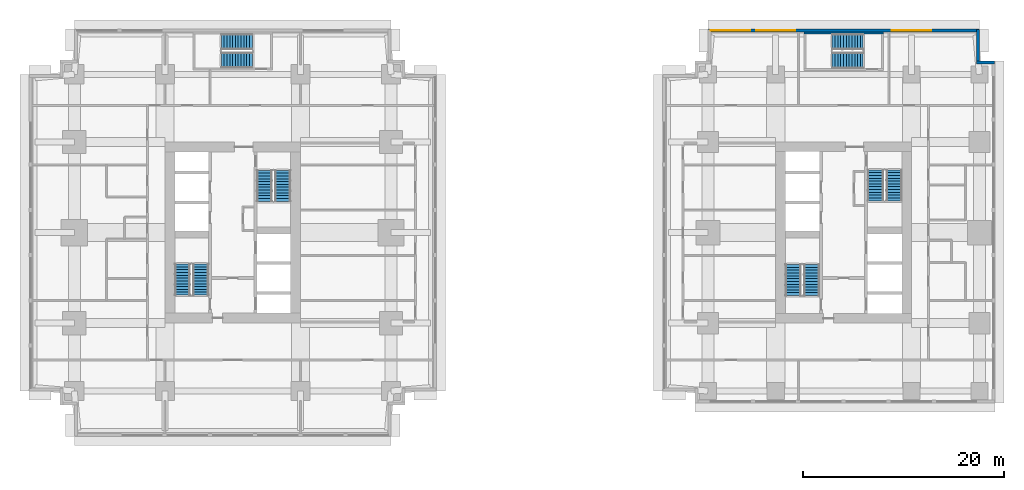
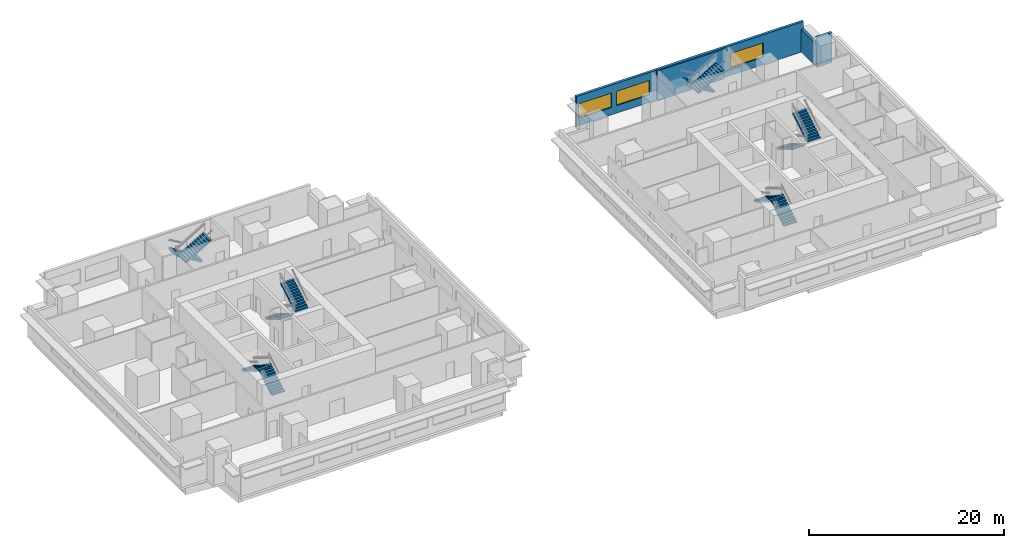
# One storey, part 8 of 11: 12 stair flights, 4 walls, 3 windows, 3 openings, 6 elements without a shape of their own.
"""IFC4 building model written with IfcOpenShell, lengths in metres."""

from ifc_helpers import new_model, si_unit, direction, frame, frame_2d, origin, place, context, subcontext, project, spatial, polyline, rectangle, outline, extrude, material, layer, layer_set, type_object, element, fill, aggregate, save


model = new_model("IFC4")

# Units and contexts
model_context = context("Model", 3, precision=1e-05, world=origin(), true_north=direction((0.0, 1.0)))
body_context = subcontext(model_context, "Body", "Model", "MODEL_VIEW")
ifc_project = project(units=[si_unit("LENGTHUNIT", "METRE"), si_unit("AREAUNIT", "SQUARE_METRE"), si_unit("VOLUMEUNIT", "CUBIC_METRE"), si_unit("PLANEANGLEUNIT", "RADIAN"), si_unit("MASSUNIT", "GRAM", prefix="KILO")], contexts=[model_context])

# Site, building, storey
site_placement = place(None, origin())
site = spatial("IfcSite", under=ifc_project, at=site_placement, CompositionType="ELEMENT")
building_placement = place(site_placement, origin())
building = spatial("IfcBuilding", under=site, at=building_placement, Name="Namib Vertical Campus", CompositionType="ELEMENT")
storey_placement = place(building_placement, frame((0.0, 0.0, 93.0)))
storey = spatial("IfcBuildingStorey", under=building, at=storey_placement, Name="L21", CompositionType="ELEMENT", Elevation=93.0)

# Walls
ifc_material_1 = material(Name="Concrete C40/50", Category="concrete")
ifc_layer_1 = layer(ifc_material_1, 0.300048828125)
ifc_layer_set_1 = layer_set([ifc_layer_1], Name="Concrete C40/50")
wall_type_1 = type_object("IfcWallType", Name="External wall 300 board-marked concrete", PredefinedType="STANDARD", material=ifc_layer_set_1)
wall_1_placement = place(storey_placement, frame((96.030029296875, 37.14990234375, 0.0), z_axis=(0.0, 0.0, 1.0), x_axis=(-1.0, 0.0, 0.0)))
element("IfcWall", 1, at=wall_1_placement, inside=storey, type_object=wall_type_1, Name="External wall L21 F05", PredefinedType="STANDARD", context=body_context, shape_type="SweptSolid", body=[
    extrude(rectangle(XDim=1.81005859375, YDim=0.300048828125, at=frame_2d((0.905029296875, 0.0))), origin(), (0.0, 0.0, 1.0), 3.75),
])
wall_2_placement = place(storey_placement, frame((94.35009765625, 37.02001953125, 0.0), z_axis=(0.0, 0.0, 1.0), x_axis=(0.0, 1.0, 0.0)))
element("IfcWall", 2, at=wall_2_placement, inside=storey, type_object=wall_type_1, Name="External wall L21 F06", PredefinedType="STANDARD", context=body_context, shape_type="SweptSolid", body=[
    extrude(rectangle(XDim=3.4599609375, YDim=0.300048828125, at=frame_2d((1.72998046875, 0.0))), origin(), (0.0, 0.0, 1.0), 2.85009765625),
])

# Wall, openings, windows
wall_3_placement = place(storey_placement, frame((94.47998046875, 40.35009765625, 0.0), z_axis=(0.0, 0.0, 1.0), x_axis=(-1.0, 0.0, 0.0)))
wall_3 = element("IfcWall", 3, at=wall_3_placement, inside=storey, type_object=wall_type_1, Name="External wall L21 F07", PredefinedType="STANDARD", context=body_context, shape_type="SweptSolid", body=[
    extrude(rectangle(XDim=26.9599609375, YDim=0.300048828125, at=frame_2d((13.47998046875, 0.0))), origin(), (0.0, 0.0, 1.0), 3.75),
])
opening_1_placement = place(wall_3_placement, frame((22.780029296875, 0.0, 0.949951171875)))
opening_1 = element("IfcOpeningElement", 4, at=opening_1_placement, cuts=wall_3, Name="Opening W3", PredefinedType="OPENING", context=body_context, shape_type="SweptSolid", body=[
    extrude(rectangle(XDim=3.89990234375, YDim=1.800048828125, at=frame_2d((1.949951171875, 0.89990234375))), frame((0.0, 0.159912109375, 0.0), z_axis=(0.0, -1.0, 0.0), x_axis=(1.0, 0.0, 0.0)), (0.0, 0.0, 1.0), 0.320068359375),
])
opening_2_placement = place(wall_3_placement, frame((18.280029296875, 0.0, 0.949951171875)))
opening_2 = element("IfcOpeningElement", 5, at=opening_2_placement, cuts=wall_3, Name="Opening W3", PredefinedType="OPENING", context=body_context, shape_type="SweptSolid", body=[
    extrude(rectangle(XDim=3.89990234375, YDim=1.800048828125, at=frame_2d((1.949951171875, 0.89990234375))), frame((0.0, 0.159912109375, 0.0), z_axis=(0.0, -1.0, 0.0), x_axis=(1.0, 0.0, 0.0)), (0.0, 0.0, 1.0), 0.320068359375),
])
opening_3_placement = place(wall_3_placement, frame((4.780029296875, 0.0, 0.949951171875)))
opening_3 = element("IfcOpeningElement", 6, at=opening_3_placement, cuts=wall_3, Name="Opening W3", PredefinedType="OPENING", context=body_context, shape_type="SweptSolid", body=[
    extrude(rectangle(XDim=3.89990234375, YDim=1.800048828125, at=frame_2d((1.949951171875, 0.89990234375))), frame((0.0, 0.159912109375, 0.0), z_axis=(0.0, -1.0, 0.0), x_axis=(1.0, 0.0, 0.0)), (0.0, 0.0, 1.0), 0.320068359375),
])
ifc_material_2 = material(Name="Dark tinted glass in black aluminium frame", Category="aluminium")
window_type = type_object("IfcWindowType", Name="Ribbon window 3900x1800", PartitioningType="SINGLE_PANEL", PredefinedType="WINDOW", material=ifc_material_2)
window_1_placement = place(opening_1_placement, origin())
window_1 = element("IfcWindow", 7, at=window_1_placement, inside=storey, type_object=window_type, Name="Window W3 L21 F07-1", OverallHeight=1.800048828125, OverallWidth=3.89990234375, PartitioningType="SINGLE_PANEL", PredefinedType="WINDOW", context=body_context, shape_type="SweptSolid", body=[
    extrude(rectangle(XDim=3.89990234375, YDim=1.800048828125, at=frame_2d((1.949951171875, 0.89990234375))), frame((0.0, 0.030029296875, 0.0), z_axis=(0.0, -1.0, 0.0), x_axis=(1.0, 0.0, 0.0)), (0.0, 0.0, 1.0), 0.06005859375),
])
fill(opening_1, window_1)
window_2_placement = place(opening_2_placement, origin())
window_2 = element("IfcWindow", 8, at=window_2_placement, inside=storey, type_object=window_type, Name="Window W3 L21 F07-2", OverallHeight=1.800048828125, OverallWidth=3.89990234375, PartitioningType="SINGLE_PANEL", PredefinedType="WINDOW", context=body_context, shape_type="SweptSolid", body=[
    extrude(rectangle(XDim=3.89990234375, YDim=1.800048828125, at=frame_2d((1.949951171875, 0.89990234375))), frame((0.0, 0.030029296875, 0.0), z_axis=(0.0, -1.0, 0.0), x_axis=(1.0, 0.0, 0.0)), (0.0, 0.0, 1.0), 0.06005859375),
])
fill(opening_2, window_2)
window_3_placement = place(opening_3_placement, origin())
window_3 = element("IfcWindow", 9, at=window_3_placement, inside=storey, type_object=window_type, Name="Window W3 L21 F07-5", OverallHeight=1.800048828125, OverallWidth=3.89990234375, PartitioningType="SINGLE_PANEL", PredefinedType="WINDOW", context=body_context, shape_type="SweptSolid", body=[
    extrude(rectangle(XDim=3.89990234375, YDim=1.800048828125, at=frame_2d((1.949951171875, 0.89990234375))), frame((0.0, 0.030029296875, 0.0), z_axis=(0.0, -1.0, 0.0), x_axis=(1.0, 0.0, 0.0)), (0.0, 0.0, 1.0), 0.06005859375),
])
fill(opening_3, window_3)

# Wall
ifc_material_3 = material(Name="Concrete C40/50", Category="concrete")
ifc_layer_2 = layer(ifc_material_3, 0.199951171875)
ifc_layer_set_2 = layer_set([ifc_layer_2], Name="Concrete C40/50")
wall_type_2 = type_object("IfcWallType", Name="Stair enclosure wall RC 200", PredefinedType="SOLIDWALL", material=ifc_layer_set_2)
wall_4_placement = place(storey_placement, frame((77.050048828125, 40.10009765625, 0.0), z_axis=(0.0, 0.0, 1.0), x_axis=(1.0, 0.0, 0.0)))
element("IfcWall", 10, at=wall_4_placement, inside=storey, type_object=wall_type_2, Name="Stair enclosure wall B-S3 L21 N", PredefinedType="SOLIDWALL", context=body_context, shape_type="SweptSolid", body=[
    extrude(rectangle(XDim=7.89990234375, YDim=0.199951171875, at=frame_2d((3.949951171875, 0.0))), origin(), (0.0, 0.0, 1.0), 3.75),
])

# Stair, stair flights
ifc_material_4 = material(Name="Concrete C40/50 precast", Category="concrete")
stair_type_1 = type_object("IfcStairType", Name="Exit stair 4000 rise 24 risers 3350 wide", PredefinedType="HALF_TURN_STAIR", material=ifc_material_4)
stair_1_placement = place(storey_placement, origin())
stair_1 = element("IfcStair", 11, at=stair_1_placement, inside=storey, type_object=stair_type_1, Name="Exit stair A-S1 L21", PredefinedType="HALF_TURN_STAIR")
ifc_material_5 = material(Name="Concrete C40/50 precast", Category="concrete")
stair_flight_type_1 = type_object("IfcStairFlightType", Name="Stair flight 12 risers 167 1525 wide", PredefinedType="STRAIGHT", material=ifc_material_5)
stair_flight_1_placement = place(storey_placement, frame((17.08740234375, 14.050048828125, 0.0), z_axis=(0.0, 0.0, 1.0), x_axis=(0.0, 1.0, 0.0)))
stair_flight_1 = element("IfcStairFlight", 12, at=stair_flight_1_placement, type_object=stair_flight_type_1, Name="A-S1 flight 1", NumberOfRisers=12, NumberOfTreads=11, PredefinedType="STRAIGHT", RiserHeight=0.166666667, TreadLength=0.28, context=body_context, shape_type="SweptSolid", body=[
    extrude(outline(polyline([(0.0, 0.0), (0.0, 0.166748046875), (0.280029296875, 0.166748046875), (0.280029296875, 0.333251953125), (0.56005859375, 0.333251953125), (0.56005859375, 0.5), (0.840087890625, 0.5), (0.840087890625, 0.666748046875), (1.1201171875, 0.666748046875), (1.1201171875, 0.833251953125), (1.39990234375, 0.833251953125), (1.39990234375, 1.0), (1.679931640625, 1.0), (1.679931640625, 1.166748046875), (1.9599609375, 1.166748046875), (1.9599609375, 1.333251953125), (2.239990234375, 1.333251953125), (2.239990234375, 1.5), (2.52001953125, 1.5), (2.52001953125, 1.666748046875), (2.800048828125, 1.666748046875), (2.800048828125, 1.833251953125), (3.080078125, 1.833251953125), (3.080078125, 2.0), (3.080078125, 1.658935546875), (0.29296875, 0.0), (0.0, 0.0)])), frame((0.0, 0.762451171875, 0.0), z_axis=(0.0, -1.0, 0.0), x_axis=(1.0, 0.0, 0.0)), (0.0, 0.0, 1.0), 1.52490234375),
])
stair_flight_2_placement = place(storey_placement, frame((15.262451171875, 17.1298828125, 2.0), z_axis=(0.0, 0.0, 1.0), x_axis=(0.0, -1.0, 0.0)))
stair_flight_2 = element("IfcStairFlight", 13, at=stair_flight_2_placement, type_object=stair_flight_type_1, Name="A-S1 flight 2", NumberOfRisers=12, NumberOfTreads=11, PredefinedType="STRAIGHT", RiserHeight=0.166666667, TreadLength=0.28, context=body_context, shape_type="SweptSolid", body=[
    extrude(outline(polyline([(0.0, 0.0), (0.0, 0.166748046875), (0.280029296875, 0.166748046875), (0.280029296875, 0.333251953125), (0.56005859375, 0.333251953125), (0.56005859375, 0.5), (0.840087890625, 0.5), (0.840087890625, 0.666748046875), (1.1201171875, 0.666748046875), (1.1201171875, 0.833251953125), (1.39990234375, 0.833251953125), (1.39990234375, 1.0), (1.679931640625, 1.0), (1.679931640625, 1.166748046875), (1.9599609375, 1.166748046875), (1.9599609375, 1.333251953125), (2.239990234375, 1.333251953125), (2.239990234375, 1.5), (2.52001953125, 1.5), (2.52001953125, 1.666748046875), (2.800048828125, 1.666748046875), (2.800048828125, 1.833251953125), (3.080078125, 1.833251953125), (3.080078125, 2.0), (3.080078125, 1.658935546875), (0.29296875, 0.0), (0.0, 0.0)])), frame((0.0, 0.762451171875, 0.0), z_axis=(0.0, -1.0, 0.0), x_axis=(1.0, 0.0, 0.0)), (0.0, 0.0, 1.0), 1.52490234375),
])
aggregate(stair_1, [stair_flight_1, stair_flight_2])

stair_2_placement = place(storey_placement, origin())
stair_2 = element("IfcStair", 14, at=stair_2_placement, inside=storey, type_object=stair_type_1, Name="Exit stair A-S2 L21", PredefinedType="HALF_TURN_STAIR")
stair_flight_3_placement = place(storey_placement, frame((23.41259765625, 26.449951171875, 0.0), z_axis=(0.0, 0.0, 1.0), x_axis=(0.0, -1.0, 0.0)))
stair_flight_3 = element("IfcStairFlight", 15, at=stair_flight_3_placement, type_object=stair_flight_type_1, Name="A-S2 flight 1", NumberOfRisers=12, NumberOfTreads=11, PredefinedType="STRAIGHT", RiserHeight=0.166666667, TreadLength=0.28, context=body_context, shape_type="SweptSolid", body=[
    extrude(outline(polyline([(0.0, 0.0), (0.0, 0.166748046875), (0.280029296875, 0.166748046875), (0.280029296875, 0.333251953125), (0.56005859375, 0.333251953125), (0.56005859375, 0.5), (0.840087890625, 0.5), (0.840087890625, 0.666748046875), (1.1201171875, 0.666748046875), (1.1201171875, 0.833251953125), (1.39990234375, 0.833251953125), (1.39990234375, 1.0), (1.679931640625, 1.0), (1.679931640625, 1.166748046875), (1.9599609375, 1.166748046875), (1.9599609375, 1.333251953125), (2.239990234375, 1.333251953125), (2.239990234375, 1.5), (2.52001953125, 1.5), (2.52001953125, 1.666748046875), (2.800048828125, 1.666748046875), (2.800048828125, 1.833251953125), (3.080078125, 1.833251953125), (3.080078125, 2.0), (3.080078125, 1.658935546875), (0.29296875, 0.0), (0.0, 0.0)])), frame((0.0, 0.762451171875, 0.0), z_axis=(0.0, -1.0, 0.0), x_axis=(1.0, 0.0, 0.0)), (0.0, 0.0, 1.0), 1.52490234375),
])
stair_flight_4_placement = place(storey_placement, frame((25.237548828125, 23.3701171875, 2.0), z_axis=(0.0, 0.0, 1.0), x_axis=(0.0, 1.0, 0.0)))
stair_flight_4 = element("IfcStairFlight", 16, at=stair_flight_4_placement, type_object=stair_flight_type_1, Name="A-S2 flight 2", NumberOfRisers=12, NumberOfTreads=11, PredefinedType="STRAIGHT", RiserHeight=0.166666667, TreadLength=0.28, context=body_context, shape_type="SweptSolid", body=[
    extrude(outline(polyline([(0.0, 0.0), (0.0, 0.166748046875), (0.280029296875, 0.166748046875), (0.280029296875, 0.333251953125), (0.56005859375, 0.333251953125), (0.56005859375, 0.5), (0.840087890625, 0.5), (0.840087890625, 0.666748046875), (1.1201171875, 0.666748046875), (1.1201171875, 0.833251953125), (1.39990234375, 0.833251953125), (1.39990234375, 1.0), (1.679931640625, 1.0), (1.679931640625, 1.166748046875), (1.9599609375, 1.166748046875), (1.9599609375, 1.333251953125), (2.239990234375, 1.333251953125), (2.239990234375, 1.5), (2.52001953125, 1.5), (2.52001953125, 1.666748046875), (2.800048828125, 1.666748046875), (2.800048828125, 1.833251953125), (3.080078125, 1.833251953125), (3.080078125, 2.0), (3.080078125, 1.658935546875), (0.29296875, 0.0), (0.0, 0.0)])), frame((0.0, 0.762451171875, 0.0), z_axis=(0.0, -1.0, 0.0), x_axis=(1.0, 0.0, 0.0)), (0.0, 0.0, 1.0), 1.52490234375),
])
aggregate(stair_2, [stair_flight_3, stair_flight_4])

stair_3_placement = place(storey_placement, origin())
stair_3 = element("IfcStair", 17, at=stair_3_placement, inside=storey, type_object=stair_type_1, Name="Exit stair A-S3 L21", PredefinedType="HALF_TURN_STAIR")
stair_flight_5_placement = place(storey_placement, frame((22.199951171875, 39.237548828125, 0.0), z_axis=(0.0, 0.0, 1.0), x_axis=(-1.0, 0.0, 0.0)))
stair_flight_5 = element("IfcStairFlight", 18, at=stair_flight_5_placement, type_object=stair_flight_type_1, Name="A-S3 flight 1", NumberOfRisers=12, NumberOfTreads=11, PredefinedType="STRAIGHT", RiserHeight=0.166666667, TreadLength=0.28, context=body_context, shape_type="SweptSolid", body=[
    extrude(outline(polyline([(0.0, 0.0), (0.0, 0.166748046875), (0.280029296875, 0.166748046875), (0.280029296875, 0.333251953125), (0.56005859375, 0.333251953125), (0.56005859375, 0.5), (0.840087890625, 0.5), (0.840087890625, 0.666748046875), (1.1201171875, 0.666748046875), (1.1201171875, 0.833251953125), (1.39990234375, 0.833251953125), (1.39990234375, 1.0), (1.679931640625, 1.0), (1.679931640625, 1.166748046875), (1.9599609375, 1.166748046875), (1.9599609375, 1.333251953125), (2.239990234375, 1.333251953125), (2.239990234375, 1.5), (2.52001953125, 1.5), (2.52001953125, 1.666748046875), (2.800048828125, 1.666748046875), (2.800048828125, 1.833251953125), (3.080078125, 1.833251953125), (3.080078125, 2.0), (3.080078125, 1.658935546875), (0.29296875, 0.0), (0.0, 0.0)])), frame((0.0, 0.762451171875, 0.0), z_axis=(0.0, -1.0, 0.0), x_axis=(1.0, 0.0, 0.0)), (0.0, 0.0, 1.0), 1.52490234375),
])
stair_flight_6_placement = place(storey_placement, frame((19.1201171875, 37.41259765625, 2.0), z_axis=(0.0, 0.0, 1.0), x_axis=(1.0, 0.0, 0.0)))
stair_flight_6 = element("IfcStairFlight", 19, at=stair_flight_6_placement, type_object=stair_flight_type_1, Name="A-S3 flight 2", NumberOfRisers=12, NumberOfTreads=11, PredefinedType="STRAIGHT", RiserHeight=0.166666667, TreadLength=0.28, context=body_context, shape_type="SweptSolid", body=[
    extrude(outline(polyline([(0.0, 0.0), (0.0, 0.166748046875), (0.280029296875, 0.166748046875), (0.280029296875, 0.333251953125), (0.56005859375, 0.333251953125), (0.56005859375, 0.5), (0.840087890625, 0.5), (0.840087890625, 0.666748046875), (1.1201171875, 0.666748046875), (1.1201171875, 0.833251953125), (1.39990234375, 0.833251953125), (1.39990234375, 1.0), (1.679931640625, 1.0), (1.679931640625, 1.166748046875), (1.9599609375, 1.166748046875), (1.9599609375, 1.333251953125), (2.239990234375, 1.333251953125), (2.239990234375, 1.5), (2.52001953125, 1.5), (2.52001953125, 1.666748046875), (2.800048828125, 1.666748046875), (2.800048828125, 1.833251953125), (3.080078125, 1.833251953125), (3.080078125, 2.0), (3.080078125, 1.658935546875), (0.29296875, 0.0), (0.0, 0.0)])), frame((0.0, 0.762451171875, 0.0), z_axis=(0.0, -1.0, 0.0), x_axis=(1.0, 0.0, 0.0)), (0.0, 0.0, 1.0), 1.52490234375),
])
aggregate(stair_3, [stair_flight_5, stair_flight_6])

ifc_material_6 = material(Name="Concrete C40/50 precast", Category="concrete")
stair_type_2 = type_object("IfcStairType", Name="Exit stair 4000 rise 24 risers 3400 wide", PredefinedType="HALF_TURN_STAIR", material=ifc_material_6)
stair_4_placement = place(storey_placement, origin())
stair_4 = element("IfcStair", 20, at=stair_4_placement, inside=storey, type_object=stair_type_2, Name="Exit stair B-S1 L21", PredefinedType="HALF_TURN_STAIR")
ifc_material_7 = material(Name="Concrete C40/50 precast", Category="concrete")
stair_flight_type_2 = type_object("IfcStairFlightType", Name="Stair flight 12 risers 167 1550 wide", PredefinedType="STRAIGHT", material=ifc_material_7)
stair_flight_7_placement = place(storey_placement, frame((77.824951171875, 14.0, 0.0), z_axis=(0.0, 0.0, 1.0), x_axis=(0.0, 1.0, 0.0)))
stair_flight_7 = element("IfcStairFlight", 21, at=stair_flight_7_placement, type_object=stair_flight_type_2, Name="B-S1 flight 1", NumberOfRisers=12, NumberOfTreads=11, PredefinedType="STRAIGHT", RiserHeight=0.166666667, TreadLength=0.28, context=body_context, shape_type="SweptSolid", body=[
    extrude(outline(polyline([(0.0, 0.0), (0.0, 0.166748046875), (0.280029296875, 0.166748046875), (0.280029296875, 0.333251953125), (0.56005859375, 0.333251953125), (0.56005859375, 0.5), (0.840087890625, 0.5), (0.840087890625, 0.666748046875), (1.1201171875, 0.666748046875), (1.1201171875, 0.833251953125), (1.39990234375, 0.833251953125), (1.39990234375, 1.0), (1.679931640625, 1.0), (1.679931640625, 1.166748046875), (1.9599609375, 1.166748046875), (1.9599609375, 1.333251953125), (2.239990234375, 1.333251953125), (2.239990234375, 1.5), (2.52001953125, 1.5), (2.52001953125, 1.666748046875), (2.800048828125, 1.666748046875), (2.800048828125, 1.833251953125), (3.080078125, 1.833251953125), (3.080078125, 2.0), (3.080078125, 1.658935546875), (0.29296875, 0.0), (0.0, 0.0)])), frame((0.0, 0.77490234375, 0.0), z_axis=(0.0, -1.0, 0.0), x_axis=(1.0, 0.0, 0.0)), (0.0, 0.0, 1.0), 1.550048828125),
])
stair_flight_8_placement = place(storey_placement, frame((75.97509765625, 17.080078125, 2.0), z_axis=(0.0, 0.0, 1.0), x_axis=(0.0, -1.0, 0.0)))
stair_flight_8 = element("IfcStairFlight", 22, at=stair_flight_8_placement, type_object=stair_flight_type_2, Name="B-S1 flight 2", NumberOfRisers=12, NumberOfTreads=11, PredefinedType="STRAIGHT", RiserHeight=0.166666667, TreadLength=0.28, context=body_context, shape_type="SweptSolid", body=[
    extrude(outline(polyline([(0.0, 0.0), (0.0, 0.166748046875), (0.280029296875, 0.166748046875), (0.280029296875, 0.333251953125), (0.56005859375, 0.333251953125), (0.56005859375, 0.5), (0.840087890625, 0.5), (0.840087890625, 0.666748046875), (1.1201171875, 0.666748046875), (1.1201171875, 0.833251953125), (1.39990234375, 0.833251953125), (1.39990234375, 1.0), (1.679931640625, 1.0), (1.679931640625, 1.166748046875), (1.9599609375, 1.166748046875), (1.9599609375, 1.333251953125), (2.239990234375, 1.333251953125), (2.239990234375, 1.5), (2.52001953125, 1.5), (2.52001953125, 1.666748046875), (2.800048828125, 1.666748046875), (2.800048828125, 1.833251953125), (3.080078125, 1.833251953125), (3.080078125, 2.0), (3.080078125, 1.658935546875), (0.29296875, 0.0), (0.0, 0.0)])), frame((0.0, 0.77490234375, 0.0), z_axis=(0.0, -1.0, 0.0), x_axis=(1.0, 0.0, 0.0)), (0.0, 0.0, 1.0), 1.550048828125),
])
aggregate(stair_4, [stair_flight_7, stair_flight_8])

stair_5_placement = place(storey_placement, origin())
stair_5 = element("IfcStair", 23, at=stair_5_placement, inside=storey, type_object=stair_type_2, Name="Exit stair B-S2 L21", PredefinedType="HALF_TURN_STAIR")
stair_flight_9_placement = place(storey_placement, frame((84.175048828125, 26.5, 0.0), z_axis=(0.0, 0.0, 1.0), x_axis=(0.0, -1.0, 0.0)))
stair_flight_9 = element("IfcStairFlight", 24, at=stair_flight_9_placement, type_object=stair_flight_type_2, Name="B-S2 flight 1", NumberOfRisers=12, NumberOfTreads=11, PredefinedType="STRAIGHT", RiserHeight=0.166666667, TreadLength=0.28, context=body_context, shape_type="SweptSolid", body=[
    extrude(outline(polyline([(0.0, 0.0), (0.0, 0.166748046875), (0.280029296875, 0.166748046875), (0.280029296875, 0.333251953125), (0.56005859375, 0.333251953125), (0.56005859375, 0.5), (0.840087890625, 0.5), (0.840087890625, 0.666748046875), (1.1201171875, 0.666748046875), (1.1201171875, 0.833251953125), (1.39990234375, 0.833251953125), (1.39990234375, 1.0), (1.679931640625, 1.0), (1.679931640625, 1.166748046875), (1.9599609375, 1.166748046875), (1.9599609375, 1.333251953125), (2.239990234375, 1.333251953125), (2.239990234375, 1.5), (2.52001953125, 1.5), (2.52001953125, 1.666748046875), (2.800048828125, 1.666748046875), (2.800048828125, 1.833251953125), (3.080078125, 1.833251953125), (3.080078125, 2.0), (3.080078125, 1.658935546875), (0.29296875, 0.0), (0.0, 0.0)])), frame((0.0, 0.77490234375, 0.0), z_axis=(0.0, -1.0, 0.0), x_axis=(1.0, 0.0, 0.0)), (0.0, 0.0, 1.0), 1.550048828125),
])
stair_flight_10_placement = place(storey_placement, frame((86.02490234375, 23.419921875, 2.0), z_axis=(0.0, 0.0, 1.0), x_axis=(0.0, 1.0, 0.0)))
stair_flight_10 = element("IfcStairFlight", 25, at=stair_flight_10_placement, type_object=stair_flight_type_2, Name="B-S2 flight 2", NumberOfRisers=12, NumberOfTreads=11, PredefinedType="STRAIGHT", RiserHeight=0.166666667, TreadLength=0.28, context=body_context, shape_type="SweptSolid", body=[
    extrude(outline(polyline([(0.0, 0.0), (0.0, 0.166748046875), (0.280029296875, 0.166748046875), (0.280029296875, 0.333251953125), (0.56005859375, 0.333251953125), (0.56005859375, 0.5), (0.840087890625, 0.5), (0.840087890625, 0.666748046875), (1.1201171875, 0.666748046875), (1.1201171875, 0.833251953125), (1.39990234375, 0.833251953125), (1.39990234375, 1.0), (1.679931640625, 1.0), (1.679931640625, 1.166748046875), (1.9599609375, 1.166748046875), (1.9599609375, 1.333251953125), (2.239990234375, 1.333251953125), (2.239990234375, 1.5), (2.52001953125, 1.5), (2.52001953125, 1.666748046875), (2.800048828125, 1.666748046875), (2.800048828125, 1.833251953125), (3.080078125, 1.833251953125), (3.080078125, 2.0), (3.080078125, 1.658935546875), (0.29296875, 0.0), (0.0, 0.0)])), frame((0.0, 0.77490234375, 0.0), z_axis=(0.0, -1.0, 0.0), x_axis=(1.0, 0.0, 0.0)), (0.0, 0.0, 1.0), 1.550048828125),
])
aggregate(stair_5, [stair_flight_9, stair_flight_10])

stair_6_placement = place(storey_placement, origin())
stair_6 = element("IfcStair", 26, at=stair_6_placement, inside=storey, type_object=stair_type_2, Name="Exit stair B-S3 L21", PredefinedType="HALF_TURN_STAIR")
stair_flight_11_placement = place(storey_placement, frame((82.949951171875, 39.22509765625, 0.0), z_axis=(0.0, 0.0, 1.0), x_axis=(-1.0, 0.0, 0.0)))
stair_flight_11 = element("IfcStairFlight", 27, at=stair_flight_11_placement, type_object=stair_flight_type_2, Name="B-S3 flight 1", NumberOfRisers=12, NumberOfTreads=11, PredefinedType="STRAIGHT", RiserHeight=0.166666667, TreadLength=0.28, context=body_context, shape_type="SweptSolid", body=[
    extrude(outline(polyline([(0.0, 0.0), (0.0, 0.166748046875), (0.280029296875, 0.166748046875), (0.280029296875, 0.333251953125), (0.56005859375, 0.333251953125), (0.56005859375, 0.5), (0.840087890625, 0.5), (0.840087890625, 0.666748046875), (1.1201171875, 0.666748046875), (1.1201171875, 0.833251953125), (1.39990234375, 0.833251953125), (1.39990234375, 1.0), (1.679931640625, 1.0), (1.679931640625, 1.166748046875), (1.9599609375, 1.166748046875), (1.9599609375, 1.333251953125), (2.239990234375, 1.333251953125), (2.239990234375, 1.5), (2.52001953125, 1.5), (2.52001953125, 1.666748046875), (2.800048828125, 1.666748046875), (2.800048828125, 1.833251953125), (3.080078125, 1.833251953125), (3.080078125, 2.0), (3.080078125, 1.658935546875), (0.29296875, 0.0), (0.0, 0.0)])), frame((0.0, 0.77490234375, 0.0), z_axis=(0.0, -1.0, 0.0), x_axis=(1.0, 0.0, 0.0)), (0.0, 0.0, 1.0), 1.550048828125),
])
stair_flight_12_placement = place(storey_placement, frame((79.8701171875, 37.375, 2.0), z_axis=(0.0, 0.0, 1.0), x_axis=(1.0, 0.0, 0.0)))
stair_flight_12 = element("IfcStairFlight", 28, at=stair_flight_12_placement, type_object=stair_flight_type_2, Name="B-S3 flight 2", NumberOfRisers=12, NumberOfTreads=11, PredefinedType="STRAIGHT", RiserHeight=0.166666667, TreadLength=0.28, context=body_context, shape_type="SweptSolid", body=[
    extrude(outline(polyline([(0.0, 0.0), (0.0, 0.166748046875), (0.280029296875, 0.166748046875), (0.280029296875, 0.333251953125), (0.56005859375, 0.333251953125), (0.56005859375, 0.5), (0.840087890625, 0.5), (0.840087890625, 0.666748046875), (1.1201171875, 0.666748046875), (1.1201171875, 0.833251953125), (1.39990234375, 0.833251953125), (1.39990234375, 1.0), (1.679931640625, 1.0), (1.679931640625, 1.166748046875), (1.9599609375, 1.166748046875), (1.9599609375, 1.333251953125), (2.239990234375, 1.333251953125), (2.239990234375, 1.5), (2.52001953125, 1.5), (2.52001953125, 1.666748046875), (2.800048828125, 1.666748046875), (2.800048828125, 1.833251953125), (3.080078125, 1.833251953125), (3.080078125, 2.0), (3.080078125, 1.658935546875), (0.29296875, 0.0), (0.0, 0.0)])), frame((0.0, 0.77490234375, 0.0), z_axis=(0.0, -1.0, 0.0), x_axis=(1.0, 0.0, 0.0)), (0.0, 0.0, 1.0), 1.550048828125),
])
aggregate(stair_6, [stair_flight_11, stair_flight_12])

save(model, "model.ifc")
